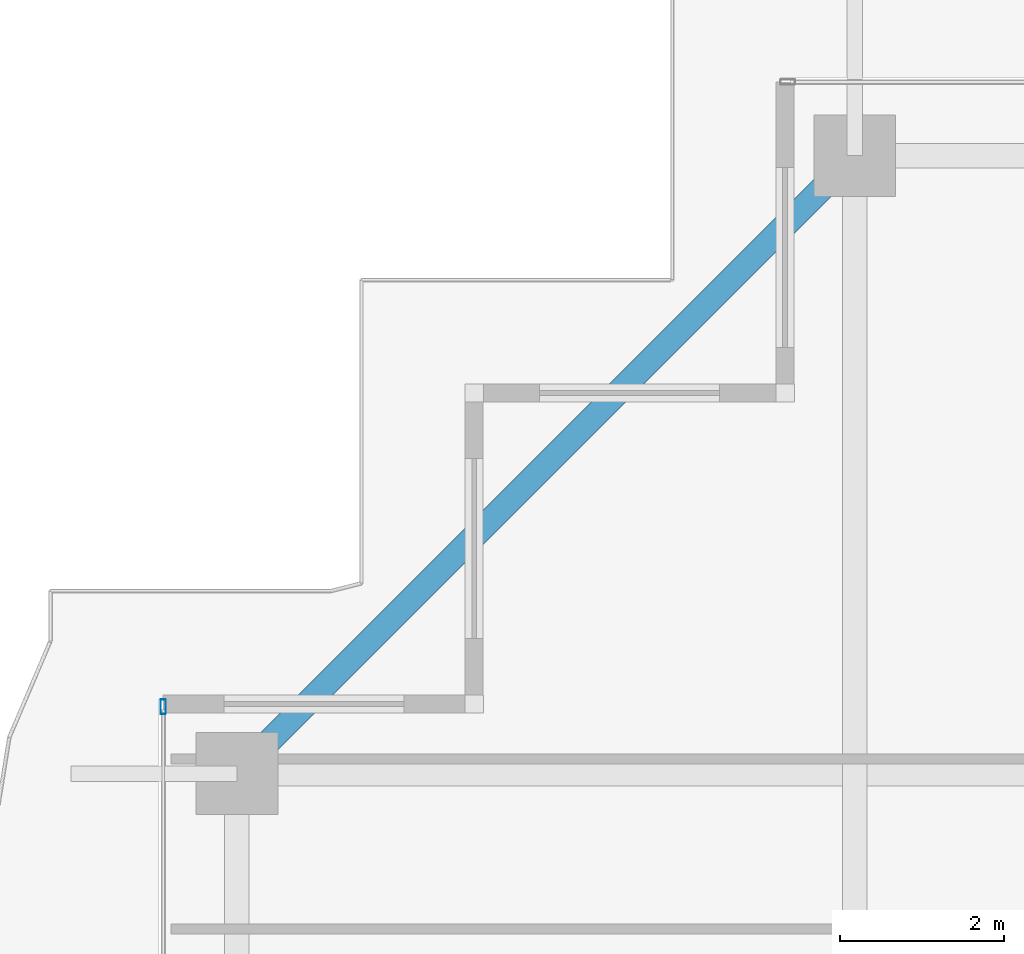
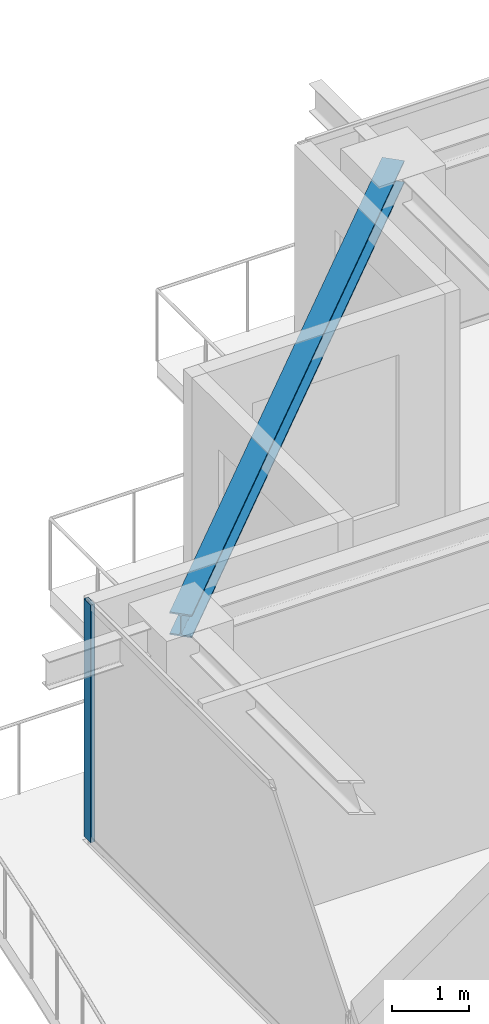
# One storey, part 18 of 37: 1 beam, 1 member, 1 element without a shape of its own.
"""IFC4 building model written with IfcOpenShell, lengths in metres."""

from ifc_helpers import new_model, si_unit, direction, frame, origin, origin_2d, place, context, subcontext, project, spatial, hollow_rectangle, i_section, extrude, source, transform, mapped, material, layer, layer_set, material_profile, profile_set, type_object, element, aggregate, save


model = new_model("IFC4")

# Units and contexts
model_context = context("Model", 3, precision=1e-05, world=origin(), true_north=direction((0.0, 1.0)))
body_context = subcontext(model_context, "Body", "Model", "MODEL_VIEW")
ifc_project = project(units=[si_unit("LENGTHUNIT", "METRE"), si_unit("AREAUNIT", "SQUARE_METRE"), si_unit("VOLUMEUNIT", "CUBIC_METRE"), si_unit("PLANEANGLEUNIT", "RADIAN"), si_unit("MASSUNIT", "GRAM", prefix="KILO")], contexts=[model_context])

# Site, building, storey
site_placement = place(None, origin())
site = spatial("IfcSite", under=ifc_project, at=site_placement, CompositionType="ELEMENT")
building_placement = place(site_placement, origin())
building = spatial("IfcBuilding", under=site, at=building_placement, Name="Serunith Strait Residences", CompositionType="ELEMENT")
storey_placement = place(building_placement, frame((0.0, 0.0, 305.60009765625)))
storey = spatial("IfcBuildingStorey", under=building, at=storey_placement, Name="L76", CompositionType="ELEMENT", Elevation=305.60009765625)

# Beam
ifc_material_1 = material(Name="Steel S355J2", Category="steel")
ifc_material_profile_1 = material_profile(ifc_material_1, i_section(OverallWidth=0.300048828125, OverallDepth=0.360107421875, WebThickness=0.012451171875, FlangeThickness=0.0224609375, FilletRadius=0.027099609375, at=origin_2d()), Name="HEB 360")
ifc_profile_set_1 = profile_set([ifc_material_profile_1], Name="Steel S355J2")
beam_type = type_object("IfcBeamType", Name="BM-HEB360", PredefinedType="BEAM", material=ifc_profile_set_1)
shared_shape_1 = source(origin(), body_context, "Body", "SweptSolid", [
    extrude(i_section(OverallWidth=0.300048828125, OverallDepth=0.360107421875, WebThickness=0.012451171875, FlangeThickness=0.0224609375, FilletRadius=0.027099609375, at=origin_2d()), origin(), (0.0, 0.0, 1.0), 10.67724609375),
])
beam_placement = place(storey_placement, frame((17.64990234375, 47.10009765625, 3.576904296875), z_axis=(-0.707095348302, -0.707118213887, 0.0), x_axis=(0.707118213887, -0.707095348302, 0.0)))
element("IfcBeam", 1, at=beam_placement, inside=storey, type_object=beam_type, Name="L76 Perimeter Ring Beam 12", PredefinedType="BEAM", context=body_context, shape_type="MappedRepresentation", body=[
    mapped(shared_shape_1, transform((0.0, 0.0, 0.0), scale=1.0)),
])

# Curtain wall, member
ifc_material_2 = material(Name="Brushed Stainless-Silver Aluminium", Category="aluminium")
ifc_layer = layer(ifc_material_2, 0.199951171875, Name="Brushed Stainless-Silver Aluminium")
ifc_layer_set = layer_set([ifc_layer], Name="Brushed Stainless-Silver Aluminium")
curtain_wall_type = type_object("IfcCurtainWallType", Name="CW-SYS5", PredefinedType="NOTDEFINED", material=ifc_layer_set)
curtain_wall_placement = place(storey_placement, origin())
curtain_wall = element("IfcCurtainWall", 2, at=curtain_wall_placement, inside=storey, type_object=curtain_wall_type, Name="L76 W Unitised Fritted Curtain Wall", PredefinedType="NOTDEFINED")
ifc_material_profile_2 = material_profile(ifc_material_2, hollow_rectangle(XDim=0.06494140625, YDim=0.179931640625, WallThickness=0.00341796875, InnerFilletRadius=0.00537109375, OuterFilletRadius=0.0087890625, at=origin_2d()), Name="ALU 180x65x3.5")
ifc_profile_set_2 = profile_set([ifc_material_profile_2], Name="Brushed Stainless-Silver Aluminium")
member_type = type_object("IfcMemberType", Name="CW-SYS5-MULL", PredefinedType="MULLION", material=ifc_profile_set_2)
shared_shape_2 = source(origin(), body_context, "Body", "SweptSolid", [
    extrude(hollow_rectangle(XDim=0.06494140625, YDim=0.179931640625, WallThickness=0.00341796875, InnerFilletRadius=0.00537109375, OuterFilletRadius=0.0087890625, at=origin_2d()), origin(), (0.0, 0.0, 1.0), 3.77490234375),
])
member_placement = place(storey_placement, frame((9.199951171875, 40.367431640625, 0.0), z_axis=(0.0, 0.0, 1.0), x_axis=(1.0, 0.0, 0.0)))
member = element("IfcMember", 3, at=member_placement, type_object=member_type, Name="CW-5 mullion 1", PredefinedType="MULLION", context=body_context, shape_type="MappedRepresentation", body=[
    mapped(shared_shape_2, transform((0.0, 0.0, 0.0), scale=1.0)),
])
aggregate(curtain_wall, [member])

save(model, "model.ifc")
